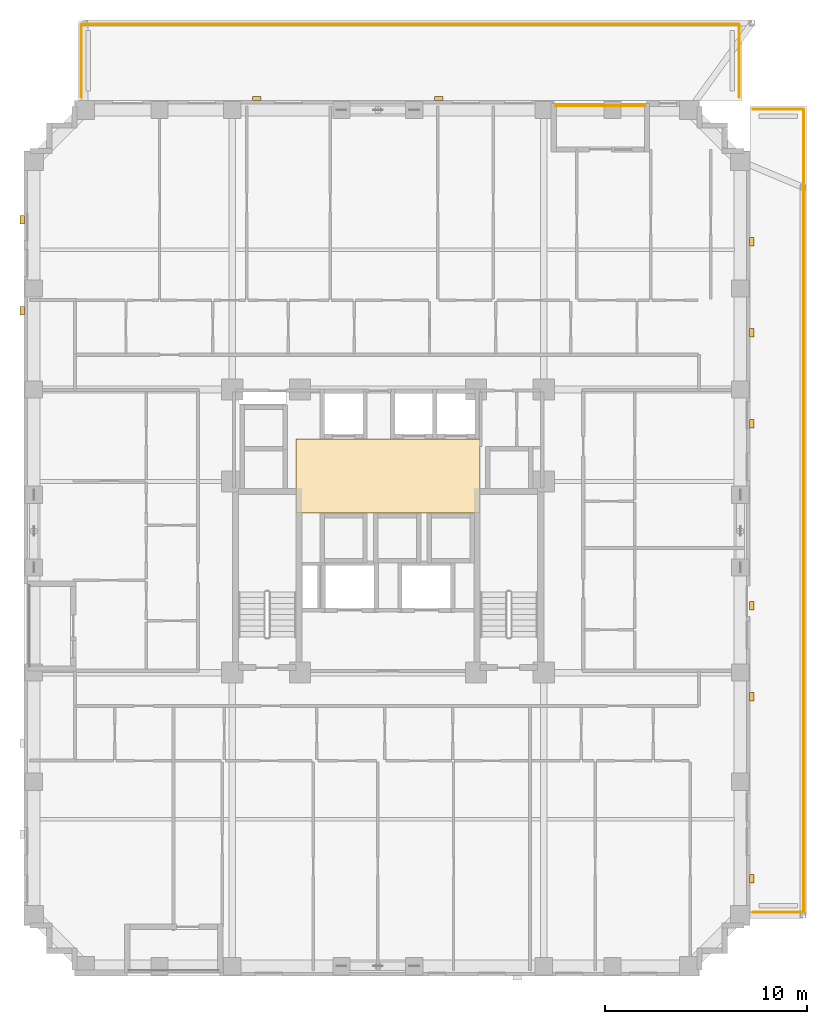
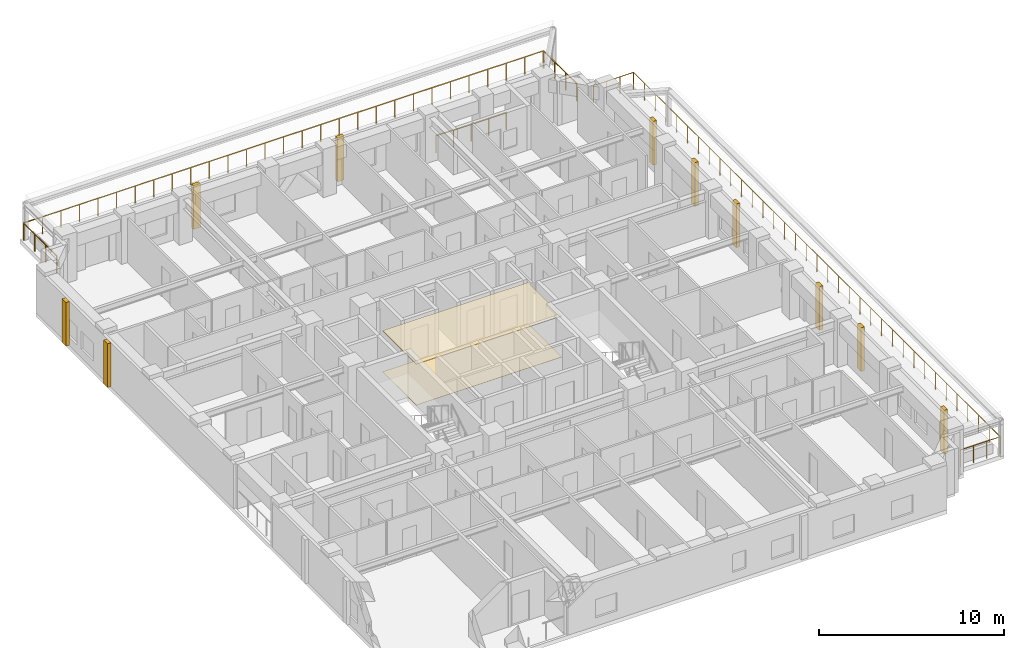
# One storey, part 16 of 16: 12 coverings, 7 railings.
"""IFC4 building model written with IfcOpenShell, lengths in metres."""

from ifc_helpers import new_model, si_unit, derived_unit, direction, frame, origin, origin_2d, place, context, subcontext, project, spatial, polyline, rectangle, circle, outline, extrude, material, layer, layer_set, type_object, element, save


model = new_model("IFC4")

# Units and contexts
model_context = context("Model", 3, precision=1e-05, world=origin(), true_north=direction((0.0, 1.0)))
body_context = subcontext(model_context, "Body", "Model", "MODEL_VIEW")
ifc_project = project(units=[si_unit("LENGTHUNIT", "METRE"), si_unit("AREAUNIT", "SQUARE_METRE"), si_unit("VOLUMEUNIT", "CUBIC_METRE"), si_unit("PLANEANGLEUNIT", "RADIAN"), si_unit("MASSUNIT", "GRAM", prefix="KILO"), derived_unit("THERMALTRANSMITTANCEUNIT", [(si_unit("MASSUNIT", "GRAM", prefix="KILO"), 1), (si_unit("TIMEUNIT", "SECOND"), -3), (si_unit("THERMODYNAMICTEMPERATUREUNIT", "KELVIN"), -1)])], contexts=[model_context])

# Site, building, storey
site_placement = place(None, origin())
site = spatial("IfcSite", under=ifc_project, at=site_placement, CompositionType="ELEMENT")
building_placement = place(site_placement, origin())
building = spatial("IfcBuilding", under=site, at=building_placement, Name="Korrvale Station Residences", CompositionType="ELEMENT")
storey_placement = place(building_placement, frame((0.0, 0.0, 75.10009765625)))
storey = spatial("IfcBuildingStorey", under=building, at=storey_placement, Name="L20", CompositionType="ELEMENT", Elevation=75.10009765625)

# Coverings
ifc_material_1 = material(Name="Perforated acoustic mineral-fibre suspended ceiling", Category="gypsum")
ifc_layer_1 = layer(ifc_material_1, 0.050048828125, Name="Perforated acoustic mineral-fibre suspended ceiling")
ifc_layer_set_1 = layer_set([ifc_layer_1], Name="Perforated acoustic mineral-fibre suspended ceiling")
covering_type_1 = type_object("IfcCoveringType", Name="COV-CLG-AC60", PredefinedType="CEILING", material=ifc_layer_set_1)
covering_1_placement = place(storey_placement, frame((0.0, 0.0, 2.68994140625)))
element("IfcCovering", 1, at=covering_1_placement, inside=storey, type_object=covering_type_1, Name="L20 Elevator Lobby Acoustic Ceiling", PredefinedType="CEILING", context=body_context, shape_type="SweptSolid", body=[
    extrude(outline(polyline([(20.949951171875, 22.89990234375), (30.050048828125, 22.89990234375), (30.050048828125, 26.550048828125), (20.949951171875, 26.550048828125), (20.949951171875, 22.89990234375)])), origin(), (0.0, 0.0, 1.0), 0.050048828125),
])
ifc_material_2 = material(Name="Polished quartz-terrazzo lobby flooring", Category="masonry")
ifc_layer_2 = layer(ifc_material_2, 0.02001953125, Name="Polished quartz-terrazzo lobby flooring")
ifc_layer_set_2 = layer_set([ifc_layer_2], Name="Polished quartz-terrazzo lobby flooring")
covering_type_2 = type_object("IfcCoveringType", Name="COV-FLR-TER20", PredefinedType="FLOORING", material=ifc_layer_set_2)
covering_2_placement = place(storey_placement, origin())
element("IfcCovering", 2, at=covering_2_placement, inside=storey, type_object=covering_type_2, Name="L20 Elevator Lobby Terrazzo Flooring", PredefinedType="FLOORING", context=body_context, shape_type="SweptSolid", body=[
    extrude(outline(polyline([(20.949951171875, 22.89990234375), (30.050048828125, 22.89990234375), (30.050048828125, 26.550048828125), (20.949951171875, 26.550048828125), (20.949951171875, 22.89990234375)])), origin(), (0.0, 0.0, 1.0), 0.02001953125),
])
ifc_material_3 = material(Name="Architectural precast concrete C45/55", Category="concrete")
ifc_layer_3 = layer(ifc_material_3, 0.219970703125, Name="Architectural precast concrete C45/55")
ifc_layer_set_3 = layer_set([ifc_layer_3], Name="Architectural precast concrete C45/55")
covering_type_3 = type_object("IfcCoveringType", Name="COV-PIER-400", PredefinedType="CLADDING", material=ifc_layer_set_3)
for number, where, z_axis, x_axis, name in (
    (3, (19.0, 43.389892578125, 0.02490234375), (0.0, 0.0, 1.0), (1.0, 0.0, 0.0), "L20 Architectural Precast Facade Pier 02"),
    (4, (28.0, 43.389892578125, 0.02490234375), (0.0, 0.0, 1.0), (1.0, 0.0, 0.0), "L20 Architectural Precast Facade Pier 03"),
    (5, (7.409912109375, 32.89990234375, 0.02490234375), (0.0, 0.0, 1.0), (0.0, 1.0, 0.0), "L20 Architectural Precast Facade Pier 06"),
    (6, (7.409912109375, 37.39990234375, 0.02490234375), (0.0, 0.0, 1.0), (0.0, 1.0, 0.0), "L20 Architectural Precast Facade Pier 07"),
    (7, (43.489990234375, 36.300048828125, 0.02490234375), (0.0, 0.0, 1.0), (0.0, 1.0, 0.0), "L20 Architectural Precast Facade Pier 08"),
    (8, (43.489990234375, 31.800048828125, 0.02490234375), (0.0, 0.0, 1.0), (0.0, 1.0, 0.0), "L20 Architectural Precast Facade Pier 09"),
    (9, (43.489990234375, 27.300048828125, 0.02490234375), (0.0, 0.0, 1.0), (0.0, 1.0, 0.0), "L20 Architectural Precast Facade Pier 10"),
    (10, (43.489990234375, 18.300048828125, 0.02490234375), (0.0, 0.0, 1.0), (0.0, 1.0, 0.0), "L20 Architectural Precast Facade Pier 11"),
    (11, (43.489990234375, 13.800048828125, 0.02490234375), (0.0, 0.0, 1.0), (0.0, 1.0, 0.0), "L20 Architectural Precast Facade Pier 12"),
    (12, (43.489990234375, 4.800048828125, 0.02490234375), (0.0, 0.0, 1.0), (0.0, 1.0, 0.0), "L20 Architectural Precast Facade Pier 13"),
):
    element("IfcCovering", number, at=place(storey_placement, frame(where, z_axis=z_axis, x_axis=x_axis)), inside=storey, type_object=covering_type_3, Name=name, PredefinedType="CLADDING", context=body_context, shape_type="SweptSolid", body=[
        extrude(rectangle(XDim=0.419921875, YDim=0.219970703125, at=origin_2d()), origin(), (0.0, 0.0, 1.0), 2.889892578125),
    ])

# Railings
ifc_material_4 = material(Name="Powder-coated aluminium picket loggia guard", Category="aluminium")
railing_type_1 = type_object("IfcRailingType", Name="RLG-BAL-1150", PredefinedType="GUARDRAIL", material=ifc_material_4)
railing_1_placement = place(storey_placement, frame((33.800048828125, 43.030029296875, 0.0)))
element("IfcRailing", 13, at=railing_1_placement, inside=storey, type_object=railing_type_1, Name="L20 Recessed Loggia Guardrail BAL-L20-N1", PredefinedType="GUARDRAIL", context=body_context, shape_type="SweptSolid", body=[
    extrude(circle(Radius=0.02392578125, at=origin_2d()), frame((0.0, 0.0, 1.1259765625), z_axis=(1.0, 0.0, 0.0), x_axis=(0.0, 1.0, 0.0)), (0.0, 0.0, 1.0), 4.39990234375),
    extrude(circle(Radius=0.02099609375, at=origin_2d()), origin(), (0.0, 0.0, 1.0), 1.101806640625),
    extrude(circle(Radius=0.02099609375, at=origin_2d()), frame((1.10009765625, 0.0, 0.0)), (0.0, 0.0, 1.0), 1.101806640625),
    extrude(circle(Radius=0.02099609375, at=origin_2d()), frame((2.199951171875, 0.0, 0.0)), (0.0, 0.0, 1.0), 1.101806640625),
    extrude(circle(Radius=0.02099609375, at=origin_2d()), frame((3.2998046875, 0.0, 0.0)), (0.0, 0.0, 1.0), 1.101806640625),
    extrude(circle(Radius=0.02099609375, at=origin_2d()), frame((4.39990234375, 0.0, 0.0)), (0.0, 0.0, 1.0), 1.101806640625),
])
ifc_material_5 = material(Name="Laminated safety glass and stainless steel balustrade", Category="steel")
railing_type_2 = type_object("IfcRailingType", Name="RLG-TER-1150", PredefinedType="GUARDRAIL", material=ifc_material_5)
railing_2_placement = place(storey_placement, frame((10.360107421875, 47.06005859375, 0.0)))
element("IfcRailing", 14, at=railing_2_placement, inside=storey, type_object=railing_type_2, Name="L20 Setback Terrace Perimeter Guard TER-L20-N-N", PredefinedType="GUARDRAIL", context=body_context, shape_type="SweptSolid", body=[
    extrude(circle(Radius=0.02392578125, at=origin_2d()), frame((0.0, 0.0, 1.1259765625), z_axis=(1.0, 0.0, 0.0), x_axis=(0.0, 1.0, 0.0)), (0.0, 0.0, 1.0), 32.47998046875),
    extrude(circle(Radius=0.02099609375, at=origin_2d()), origin(), (0.0, 0.0, 1.0), 1.101806640625),
    extrude(circle(Radius=0.02099609375, at=origin_2d()), frame((1.159912109375, 0.0, 0.0)), (0.0, 0.0, 1.0), 1.101806640625),
    extrude(circle(Radius=0.02099609375, at=origin_2d()), frame((2.320068359375, 0.0, 0.0)), (0.0, 0.0, 1.0), 1.101806640625),
    extrude(circle(Radius=0.02099609375, at=origin_2d()), frame((3.47998046875, 0.0, 0.0)), (0.0, 0.0, 1.0), 1.101806640625),
    extrude(circle(Radius=0.02099609375, at=origin_2d()), frame((4.639892578125, 0.0, 0.0)), (0.0, 0.0, 1.0), 1.101806640625),
    extrude(circle(Radius=0.02099609375, at=origin_2d()), frame((5.800048828125, 0.0, 0.0)), (0.0, 0.0, 1.0), 1.101806640625),
    extrude(circle(Radius=0.02099609375, at=origin_2d()), frame((6.9599609375, 0.0, 0.0)), (0.0, 0.0, 1.0), 1.101806640625),
    extrude(circle(Radius=0.02099609375, at=origin_2d()), frame((8.1201171875, 0.0, 0.0)), (0.0, 0.0, 1.0), 1.101806640625),
    extrude(circle(Radius=0.02099609375, at=origin_2d()), frame((9.280029296875, 0.0, 0.0)), (0.0, 0.0, 1.0), 1.101806640625),
    extrude(circle(Radius=0.02099609375, at=origin_2d()), frame((10.43994140625, 0.0, 0.0)), (0.0, 0.0, 1.0), 1.101806640625),
    extrude(circle(Radius=0.02099609375, at=origin_2d()), frame((11.60009765625, 0.0, 0.0)), (0.0, 0.0, 1.0), 1.101806640625),
    extrude(circle(Radius=0.02099609375, at=origin_2d()), frame((12.760009765625, 0.0, 0.0)), (0.0, 0.0, 1.0), 1.101806640625),
    extrude(circle(Radius=0.02099609375, at=origin_2d()), frame((13.919921875, 0.0, 0.0)), (0.0, 0.0, 1.0), 1.101806640625),
    extrude(circle(Radius=0.02099609375, at=origin_2d()), frame((15.080078125, 0.0, 0.0)), (0.0, 0.0, 1.0), 1.101806640625),
    extrude(circle(Radius=0.02099609375, at=origin_2d()), frame((16.239990234375, 0.0, 0.0)), (0.0, 0.0, 1.0), 1.101806640625),
    extrude(circle(Radius=0.02099609375, at=origin_2d()), frame((17.39990234375, 0.0, 0.0)), (0.0, 0.0, 1.0), 1.101806640625),
    extrude(circle(Radius=0.02099609375, at=origin_2d()), frame((18.56005859375, 0.0, 0.0)), (0.0, 0.0, 1.0), 1.101806640625),
    extrude(circle(Radius=0.02099609375, at=origin_2d()), frame((19.719970703125, 0.0, 0.0)), (0.0, 0.0, 1.0), 1.101806640625),
    extrude(circle(Radius=0.02099609375, at=origin_2d()), frame((20.8798828125, 0.0, 0.0)), (0.0, 0.0, 1.0), 1.101806640625),
    extrude(circle(Radius=0.02099609375, at=origin_2d()), frame((22.0400390625, 0.0, 0.0)), (0.0, 0.0, 1.0), 1.101806640625),
    extrude(circle(Radius=0.02099609375, at=origin_2d()), frame((23.199951171875, 0.0, 0.0)), (0.0, 0.0, 1.0), 1.101806640625),
    extrude(circle(Radius=0.02099609375, at=origin_2d()), frame((24.35986328125, 0.0, 0.0)), (0.0, 0.0, 1.0), 1.101806640625),
    extrude(circle(Radius=0.02099609375, at=origin_2d()), frame((25.52001953125, 0.0, 0.0)), (0.0, 0.0, 1.0), 1.101806640625),
    extrude(circle(Radius=0.02099609375, at=origin_2d()), frame((26.679931640625, 0.0, 0.0)), (0.0, 0.0, 1.0), 1.101806640625),
    extrude(circle(Radius=0.02099609375, at=origin_2d()), frame((27.840087890625, 0.0, 0.0)), (0.0, 0.0, 1.0), 1.101806640625),
    extrude(circle(Radius=0.02099609375, at=origin_2d()), frame((29.0, 0.0, 0.0)), (0.0, 0.0, 1.0), 1.101806640625),
    extrude(circle(Radius=0.02099609375, at=origin_2d()), frame((30.159912109375, 0.0, 0.0)), (0.0, 0.0, 1.0), 1.101806640625),
    extrude(circle(Radius=0.02099609375, at=origin_2d()), frame((31.320068359375, 0.0, 0.0)), (0.0, 0.0, 1.0), 1.101806640625),
    extrude(circle(Radius=0.02099609375, at=origin_2d()), frame((32.47998046875, 0.0, 0.0)), (0.0, 0.0, 1.0), 1.101806640625),
])
for number, where, name in (
    (15, (10.340087890625, 43.4599609375, 0.0), "L20 Setback Terrace Perimeter Guard TER-L20-N-W"),
    (16, (42.860107421875, 43.4599609375, 0.0), "L20 Setback Terrace Perimeter Guard TER-L20-N-E"),
):
    element("IfcRailing", number, at=place(storey_placement, frame(where)), inside=storey, type_object=railing_type_2, Name=name, PredefinedType="GUARDRAIL", context=body_context, shape_type="SweptSolid", body=[
        extrude(circle(Radius=0.02392578125, at=origin_2d()), frame((0.0, 0.0, 1.1259765625), z_axis=(0.0, 1.0, 0.0), x_axis=(-1.0, 0.0, 0.0)), (0.0, 0.0, 1.0), 3.580078125),
        extrude(circle(Radius=0.02099609375, at=origin_2d()), origin(), (0.0, 0.0, 1.0), 1.101806640625),
        extrude(circle(Radius=0.02099609375, at=origin_2d()), frame((0.0, 1.193359375, 0.0)), (0.0, 0.0, 1.0), 1.101806640625),
        extrude(circle(Radius=0.02099609375, at=origin_2d()), frame((0.0, 2.38671875, 0.0)), (0.0, 0.0, 1.0), 1.101806640625),
        extrude(circle(Radius=0.02099609375, at=origin_2d()), frame((0.0, 3.580078125, 0.0)), (0.0, 0.0, 1.0), 1.101806640625),
    ])
for number, where, name in (
    (17, (43.56005859375, 3.139892578125, 0.0), "L20 Setback Terrace Perimeter Guard TER-L20-E-S"),
    (18, (43.56005859375, 42.860107421875, 0.0), "L20 Setback Terrace Perimeter Guard TER-L20-E-N"),
):
    element("IfcRailing", number, at=place(storey_placement, frame(where)), inside=storey, type_object=railing_type_2, Name=name, PredefinedType="GUARDRAIL", context=body_context, shape_type="SweptSolid", body=[
        extrude(circle(Radius=0.02392578125, at=origin_2d()), frame((0.0, 0.0, 1.1259765625), z_axis=(1.0, 0.0, 0.0), x_axis=(0.0, 1.0, 0.0)), (0.0, 0.0, 1.0), 2.47998046875),
        extrude(circle(Radius=0.02099609375, at=origin_2d()), origin(), (0.0, 0.0, 1.0), 1.101806640625),
        extrude(circle(Radius=0.02099609375, at=origin_2d()), frame((0.82666015625, 0.0, 0.0)), (0.0, 0.0, 1.0), 1.101806640625),
        extrude(circle(Radius=0.02099609375, at=origin_2d()), frame((1.6533203125, 0.0, 0.0)), (0.0, 0.0, 1.0), 1.101806640625),
        extrude(circle(Radius=0.02099609375, at=origin_2d()), frame((2.47998046875, 0.0, 0.0)), (0.0, 0.0, 1.0), 1.101806640625),
    ])
railing_3_placement = place(storey_placement, frame((46.06005859375, 3.159912109375, 0.0)))
element("IfcRailing", 19, at=railing_3_placement, inside=storey, type_object=railing_type_2, Name="L20 Setback Terrace Perimeter Guard TER-L20-E-E", PredefinedType="GUARDRAIL", context=body_context, shape_type="SweptSolid", body=[
    extrude(circle(Radius=0.02392578125, at=origin_2d()), frame((0.0, 0.0, 1.1259765625), z_axis=(0.0, 1.0, 0.0), x_axis=(-1.0, 0.0, 0.0)), (0.0, 0.0, 1.0), 39.68017578125),
    extrude(circle(Radius=0.02099609375, at=origin_2d()), origin(), (0.0, 0.0, 1.0), 1.101806640625),
    extrude(circle(Radius=0.02099609375, at=origin_2d()), frame((0.0, 1.1669921875, 0.0)), (0.0, 0.0, 1.0), 1.101806640625),
    extrude(circle(Radius=0.02099609375, at=origin_2d()), frame((0.0, 2.334228515625, 0.0)), (0.0, 0.0, 1.0), 1.101806640625),
    extrude(circle(Radius=0.02099609375, at=origin_2d()), frame((0.0, 3.501220703125, 0.0)), (0.0, 0.0, 1.0), 1.101806640625),
    extrude(circle(Radius=0.02099609375, at=origin_2d()), frame((0.0, 4.668212890625, 0.0)), (0.0, 0.0, 1.0), 1.101806640625),
    extrude(circle(Radius=0.02099609375, at=origin_2d()), frame((0.0, 5.835205078125, 0.0)), (0.0, 0.0, 1.0), 1.101806640625),
    extrude(circle(Radius=0.02099609375, at=origin_2d()), frame((0.0, 7.00244140625, 0.0)), (0.0, 0.0, 1.0), 1.101806640625),
    extrude(circle(Radius=0.02099609375, at=origin_2d()), frame((0.0, 8.16943359375, 0.0)), (0.0, 0.0, 1.0), 1.101806640625),
    extrude(circle(Radius=0.02099609375, at=origin_2d()), frame((0.0, 9.33642578125, 0.0)), (0.0, 0.0, 1.0), 1.101806640625),
    extrude(circle(Radius=0.02099609375, at=origin_2d()), frame((0.0, 10.503662109375, 0.0)), (0.0, 0.0, 1.0), 1.101806640625),
    extrude(circle(Radius=0.02099609375, at=origin_2d()), frame((0.0, 11.670654296875, 0.0)), (0.0, 0.0, 1.0), 1.101806640625),
    extrude(circle(Radius=0.02099609375, at=origin_2d()), frame((0.0, 12.837646484375, 0.0)), (0.0, 0.0, 1.0), 1.101806640625),
    extrude(circle(Radius=0.02099609375, at=origin_2d()), frame((0.0, 14.0048828125, 0.0)), (0.0, 0.0, 1.0), 1.101806640625),
    extrude(circle(Radius=0.02099609375, at=origin_2d()), frame((0.0, 15.171875, 0.0)), (0.0, 0.0, 1.0), 1.101806640625),
    extrude(circle(Radius=0.02099609375, at=origin_2d()), frame((0.0, 16.3388671875, 0.0)), (0.0, 0.0, 1.0), 1.101806640625),
    extrude(circle(Radius=0.02099609375, at=origin_2d()), frame((0.0, 17.505859375, 0.0)), (0.0, 0.0, 1.0), 1.101806640625),
    extrude(circle(Radius=0.02099609375, at=origin_2d()), frame((0.0, 18.673095703125, 0.0)), (0.0, 0.0, 1.0), 1.101806640625),
    extrude(circle(Radius=0.02099609375, at=origin_2d()), frame((0.0, 19.840087890625, 0.0)), (0.0, 0.0, 1.0), 1.101806640625),
    extrude(circle(Radius=0.02099609375, at=origin_2d()), frame((0.0, 21.007080078125, 0.0)), (0.0, 0.0, 1.0), 1.101806640625),
    extrude(circle(Radius=0.02099609375, at=origin_2d()), frame((0.0, 22.17431640625, 0.0)), (0.0, 0.0, 1.0), 1.101806640625),
    extrude(circle(Radius=0.02099609375, at=origin_2d()), frame((0.0, 23.34130859375, 0.0)), (0.0, 0.0, 1.0), 1.101806640625),
    extrude(circle(Radius=0.02099609375, at=origin_2d()), frame((0.0, 24.50830078125, 0.0)), (0.0, 0.0, 1.0), 1.101806640625),
    extrude(circle(Radius=0.02099609375, at=origin_2d()), frame((0.0, 25.67529296875, 0.0)), (0.0, 0.0, 1.0), 1.101806640625),
    extrude(circle(Radius=0.02099609375, at=origin_2d()), frame((0.0, 26.842529296875, 0.0)), (0.0, 0.0, 1.0), 1.101806640625),
    extrude(circle(Radius=0.02099609375, at=origin_2d()), frame((0.0, 28.009521484375, 0.0)), (0.0, 0.0, 1.0), 1.101806640625),
    extrude(circle(Radius=0.02099609375, at=origin_2d()), frame((0.0, 29.176513671875, 0.0)), (0.0, 0.0, 1.0), 1.101806640625),
    extrude(circle(Radius=0.02099609375, at=origin_2d()), frame((0.0, 30.34375, 0.0)), (0.0, 0.0, 1.0), 1.101806640625),
    extrude(circle(Radius=0.02099609375, at=origin_2d()), frame((0.0, 31.5107421875, 0.0)), (0.0, 0.0, 1.0), 1.101806640625),
    extrude(circle(Radius=0.02099609375, at=origin_2d()), frame((0.0, 32.677734375, 0.0)), (0.0, 0.0, 1.0), 1.101806640625),
    extrude(circle(Radius=0.02099609375, at=origin_2d()), frame((0.0, 33.844970703125, 0.0)), (0.0, 0.0, 1.0), 1.101806640625),
    extrude(circle(Radius=0.02099609375, at=origin_2d()), frame((0.0, 35.011962890625, 0.0)), (0.0, 0.0, 1.0), 1.101806640625),
    extrude(circle(Radius=0.02099609375, at=origin_2d()), frame((0.0, 36.178955078125, 0.0)), (0.0, 0.0, 1.0), 1.101806640625),
    extrude(circle(Radius=0.02099609375, at=origin_2d()), frame((0.0, 37.345947265625, 0.0)), (0.0, 0.0, 1.0), 1.101806640625),
    extrude(circle(Radius=0.02099609375, at=origin_2d()), frame((0.0, 38.51318359375, 0.0)), (0.0, 0.0, 1.0), 1.101806640625),
    extrude(circle(Radius=0.02099609375, at=origin_2d()), frame((0.0, 39.68017578125, 0.0)), (0.0, 0.0, 1.0), 1.101806640625),
])

save(model, "model.ifc")
